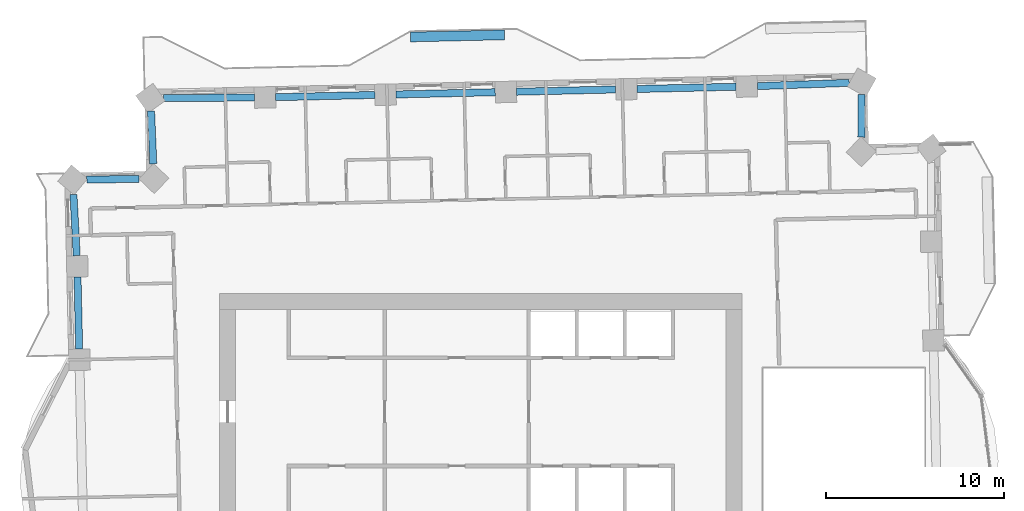
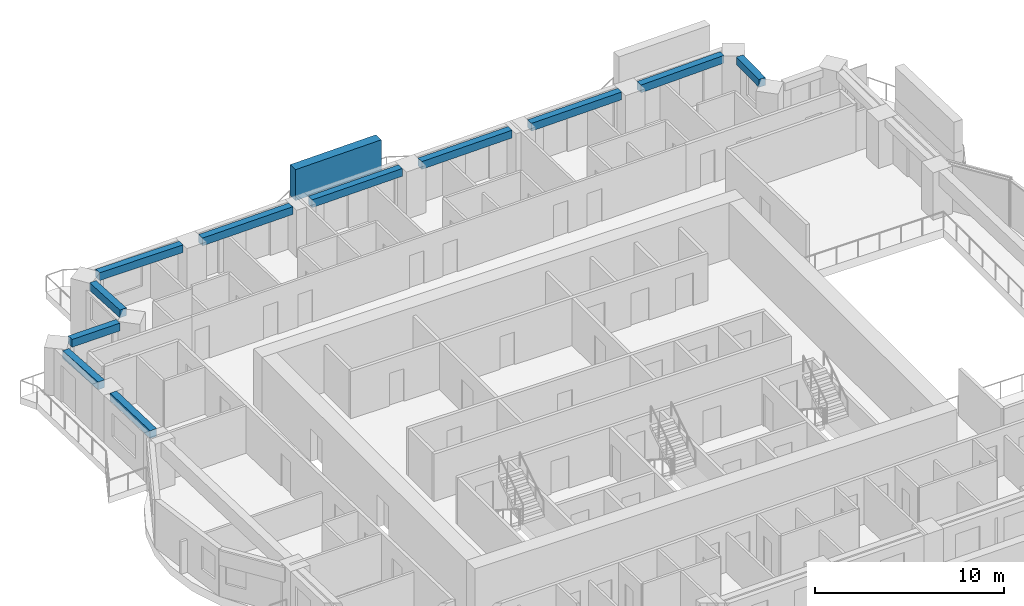
# One storey, part 3 of 16: 11 beams, 1 member.
"""IFC4 building model written with IfcOpenShell, lengths in metres."""

from ifc_helpers import new_model, si_unit, direction, frame, origin, origin_2d, place, context, subcontext, project, spatial, rectangle, extrude, material, material_profile, profile_set, type_object, element, save


model = new_model("IFC4")

# Units and contexts
model_context = context("Model", 3, precision=1e-05, world=origin(), true_north=direction((0.0, 1.0)))
body_context = subcontext(model_context, "Body", "Model", "MODEL_VIEW")
ifc_project = project(units=[si_unit("LENGTHUNIT", "METRE"), si_unit("AREAUNIT", "SQUARE_METRE"), si_unit("VOLUMEUNIT", "CUBIC_METRE"), si_unit("PLANEANGLEUNIT", "RADIAN"), si_unit("MASSUNIT", "GRAM", prefix="KILO")], contexts=[model_context])

# Site, building, storey
site_placement = place(None, origin())
site = spatial("IfcSite", under=ifc_project, at=site_placement, CompositionType="ELEMENT")
building_placement = place(site_placement, origin())
building = spatial("IfcBuilding", under=site, at=building_placement, Name="Mangrove Gate Tower", CompositionType="ELEMENT")
storey_placement = place(building_placement, frame((0.0, 0.0, 178.89990234375)))
storey = spatial("IfcBuildingStorey", under=building, at=storey_placement, Name="L45", CompositionType="ELEMENT", Elevation=178.89990234375)

# Member
ifc_material_1 = material(Name="Planting on aluminium trellis", Category="aluminium")
ifc_material_profile_1 = material_profile(ifc_material_1, rectangle(XDim=0.550048828125, YDim=2.0, at=origin_2d()))
ifc_profile_set_1 = profile_set([ifc_material_profile_1], Name="Planting on aluminium trellis")
member_type = type_object("IfcMemberType", Name="Balcony greenery screen 550x2000", PredefinedType="USERDEFINED", material=ifc_profile_set_1)
member_placement = place(storey_placement, frame((-3.95703125, 26.14501953125, 1.800048828125), z_axis=(0.999744137411, 0.022619896386, 0.0), x_axis=(-0.022619896386, 0.999744137411, 0.0)))
element("IfcMember", 1, at=member_placement, inside=storey, type_object=member_type, Name="GREEN SCREEN L45 N1.1", ObjectType="PLANTING", PredefinedType="USERDEFINED", context=body_context, shape_type="SweptSolid", body=[
    extrude(rectangle(XDim=0.550048828125, YDim=2.0, at=origin_2d()), origin(), (0.0, 0.0, 1.0), 5.299560546875),
])

# Beams
ifc_material_2 = material(Name="Concrete C50/60", Category="concrete")
ifc_material_profile_2 = material_profile(ifc_material_2, rectangle(XDim=0.39990234375, YDim=0.5, at=origin_2d()))
ifc_profile_set_2 = profile_set([ifc_material_profile_2], Name="Concrete C50/60")
beam_type = type_object("IfcBeamType", Name="Edge beam RC 400x500 C50/60", PredefinedType="BEAM", material=ifc_profile_set_2)
beam_1_placement = place(storey_placement, frame((21.41796875, 20.50390625, 2.800048828125), z_axis=(0.008133945451, 0.999966918919, 0.0), x_axis=(-0.999966918919, 0.008133945451, 0.0)))
element("IfcBeam", 2, at=beam_1_placement, inside=storey, type_object=beam_type, Name="Edge beam L45 18", PredefinedType="BEAM", context=body_context, shape_type="SweptSolid", body=[
    extrude(rectangle(XDim=0.39990234375, YDim=0.5, at=origin_2d()), origin(), (0.0, 0.0, 1.0), 2.401123046875),
])
beam_2_placement = place(storey_placement, frame((20.741455078125, 23.564453125, 2.800048828125), z_axis=(-0.99936699483, -0.03557540787, 0.0), x_axis=(0.03557540787, -0.99936699483, 0.0)))
element("IfcBeam", 3, at=beam_2_placement, inside=storey, type_object=beam_type, Name="Edge beam L45 19", PredefinedType="BEAM", context=body_context, shape_type="SweptSolid", body=[
    extrude(rectangle(XDim=0.39990234375, YDim=0.5, at=origin_2d()), origin(), (0.0, 0.0, 1.0), 5.17431640625),
])
for number, where, z_axis, x_axis, name in (
    (4, (14.370849609375, 23.345458984375, 2.800048828125), (-0.999742129115, -0.022708484617, 0.0), (0.022708484617, -0.999742129115, 0.0), "Edge beam L45 20"),
    (5, (7.5927734375, 23.19140625, 2.800048828125), (-0.999742129115, -0.022708484617, 0.0), (0.022708484617, -0.999742129115, 0.0), "Edge beam L45 21"),
    (6, (0.814697265625, 23.03759765625, 2.800048828125), (-0.999742129115, -0.022708484617, 0.0), (0.022708484617, -0.999742129115, 0.0), "Edge beam L45 22"),
):
    element("IfcBeam", number, at=place(storey_placement, frame(where, z_axis=z_axis, x_axis=x_axis)), inside=storey, type_object=beam_type, Name=name, PredefinedType="BEAM", context=body_context, shape_type="SweptSolid", body=[
        extrude(rectangle(XDim=0.39990234375, YDim=0.5, at=origin_2d()), origin(), (0.0, 0.0, 1.0), 5.579833984375),
    ])
beam_3_placement = place(storey_placement, frame((-5.96337890625, 22.883544921875, 2.800048828125), z_axis=(-0.999746153815, -0.022530599913, 0.0), x_axis=(0.022530599913, -0.999746153815, 0.0)))
element("IfcBeam", 7, at=beam_3_placement, inside=storey, type_object=beam_type, Name="Edge beam L45 23", PredefinedType="BEAM", context=body_context, shape_type="SweptSolid", body=[
    extrude(rectangle(XDim=0.39990234375, YDim=0.5, at=origin_2d()), origin(), (0.0, 0.0, 1.0), 5.58056640625),
])
beam_4_placement = place(storey_placement, frame((-12.742431640625, 22.740234375, 2.800048828125), z_axis=(-0.999977633911, -0.006688174505, 0.0), x_axis=(0.006688174505, -0.999977633911, 0.0)))
element("IfcBeam", 8, at=beam_4_placement, inside=storey, type_object=beam_type, Name="Edge beam L45 24", PredefinedType="BEAM", context=body_context, shape_type="SweptSolid", body=[
    extrude(rectangle(XDim=0.39990234375, YDim=0.5, at=origin_2d()), origin(), (0.0, 0.0, 1.0), 5.1103515625),
])
beam_5_placement = place(storey_placement, frame((-18.555908203125, 21.986083984375, 2.800048828125), z_axis=(0.041862254273, -0.999123391612, 0.0), x_axis=(0.999123391612, 0.041862254273, 0.0)))
element("IfcBeam", 9, at=beam_5_placement, inside=storey, type_object=beam_type, Name="Edge beam L45 25", PredefinedType="BEAM", context=body_context, shape_type="SweptSolid", body=[
    extrude(rectangle(XDim=0.39990234375, YDim=0.5, at=origin_2d()), origin(), (0.0, 0.0, 1.0), 2.980224609375),
])
beam_6_placement = place(storey_placement, frame((-19.2392578125, 18.162841796875, 2.800048828125), z_axis=(-0.999868543092, -0.016214084483, 0.0), x_axis=(0.016214084483, -0.999868543092, 0.0)))
element("IfcBeam", 10, at=beam_6_placement, inside=storey, type_object=beam_type, Name="Edge beam L45 26", PredefinedType="BEAM", context=body_context, shape_type="SweptSolid", body=[
    extrude(rectangle(XDim=0.39990234375, YDim=0.5, at=origin_2d()), origin(), (0.0, 0.0, 1.0), 2.936279296875),
])
beam_7_placement = place(storey_placement, frame((-22.924072265625, 17.28466796875, 2.800048828125), z_axis=(0.053067610798, -0.998590921591, 0.0), x_axis=(0.998590921591, 0.053067610798, 0.0)))
element("IfcBeam", 11, at=beam_7_placement, inside=storey, type_object=beam_type, Name="Edge beam L45 27", PredefinedType="BEAM", context=body_context, shape_type="SweptSolid", body=[
    extrude(rectangle(XDim=0.39990234375, YDim=0.5, at=origin_2d()), origin(), (0.0, 0.0, 1.0), 3.450439453125),
])
beam_8_placement = place(storey_placement, frame((-22.695556640625, 12.6396484375, 2.800048828125), z_axis=(0.022597173963, -0.999744651263, 0.0), x_axis=(0.999744651263, 0.022597173963, 0.0)))
element("IfcBeam", 12, at=beam_8_placement, inside=storey, type_object=beam_type, Name="Edge beam L45 28", PredefinedType="BEAM", context=body_context, shape_type="SweptSolid", body=[
    extrude(rectangle(XDim=0.39990234375, YDim=0.5, at=origin_2d()), origin(), (0.0, 0.0, 1.0), 4.062255859375),
])

save(model, "model.ifc")
